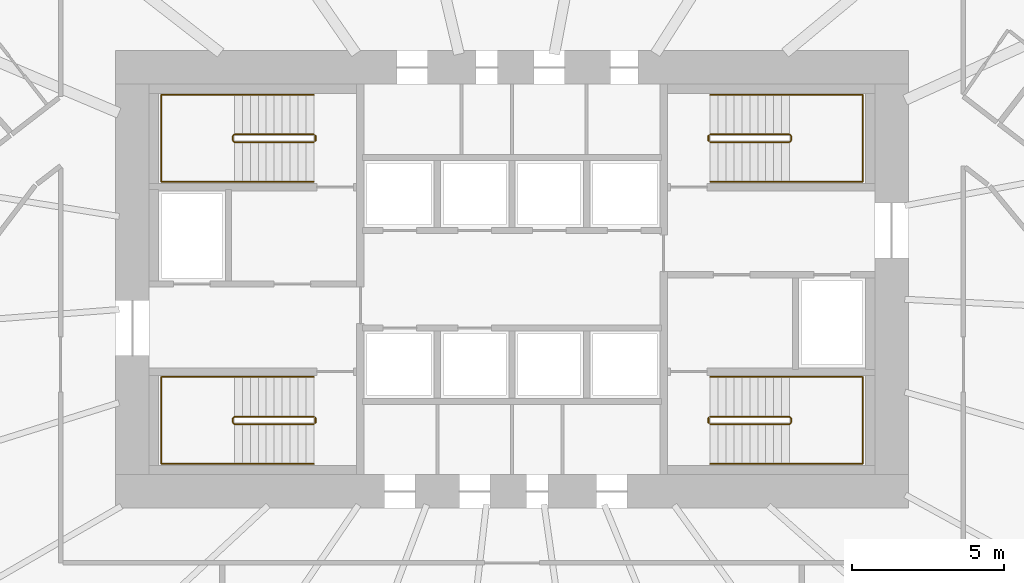
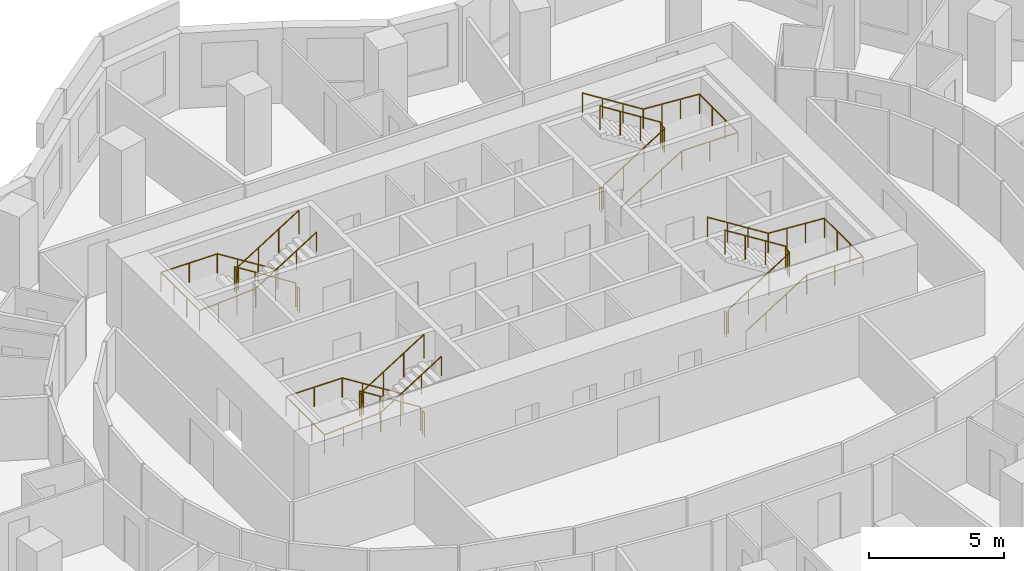
# One storey, part 11 of 11: 12 railings.
"""IFC4 building model written with IfcOpenShell, lengths in metres."""

from ifc_helpers import new_model, si_unit, direction, frame, origin, origin_2d, place, context, subcontext, project, spatial, circle, extrude, material, type_object, element, save


model = new_model("IFC4")

# Units and contexts
model_context = context("Model", 3, precision=1e-05, world=origin(), true_north=direction((0.0, 1.0)))
body_context = subcontext(model_context, "Body", "Model", "MODEL_VIEW")
ifc_project = project(units=[si_unit("LENGTHUNIT", "METRE"), si_unit("AREAUNIT", "SQUARE_METRE"), si_unit("VOLUMEUNIT", "CUBIC_METRE"), si_unit("PLANEANGLEUNIT", "RADIAN"), si_unit("MASSUNIT", "GRAM", prefix="KILO")], contexts=[model_context])

# Site, building, storey
site_placement = place(None, origin())
site = spatial("IfcSite", under=ifc_project, at=site_placement, CompositionType="ELEMENT")
building_placement = place(site_placement, origin())
building = spatial("IfcBuilding", under=site, at=building_placement, Name="Rubra Terraces Tower", CompositionType="ELEMENT")
storey_placement = place(building_placement, frame((0.0, 0.0, 114.0)))
storey = spatial("IfcBuildingStorey", under=building, at=storey_placement, Name="L27", CompositionType="ELEMENT", Elevation=114.0)

# Railings
ifc_material = material(Name="Stainless steel", Category="steel")
railing_type_1 = type_object("IfcRailingType", Name="Core stair guard 1100", PredefinedType="GUARDRAIL", material=ifc_material)
railing_1_placement = place(storey_placement, frame((-6.5, 0.0, 0.16357421875)))
element("IfcRailing", 1, at=railing_1_placement, inside=storey, type_object=railing_type_1, Name="L27 stair S1 guard 1", PredefinedType="GUARDRAIL", context=body_context, shape_type="SweptSolid", body=[
    extrude(circle(Radius=0.02392578125, at=origin_2d()), frame((0.0, 0.0, 1.076171875), z_axis=(-0.846324394277, 0.0, 0.532667832379), x_axis=(0.0, -1.0, 0.0)), (0.0, 0.0, 1.0), 3.072265625),
    extrude(circle(Radius=0.02392578125, at=origin_2d()), frame((-2.60009765625, 0.0, 2.71240234375), z_axis=(-0.705375805398, -0.708833529934, 0.0), x_axis=(0.708833529934, -0.705375805398, 0.0)), (0.0, 0.0, 1.0), 0.070556640625),
    extrude(circle(Radius=0.02392578125, at=origin_2d()), frame((-2.64990234375, -0.050048828125, 2.71240234375), z_axis=(0.0, -1.0, 0.0), x_axis=(1.0, 0.0, 0.0)), (0.0, 0.0, 1.0), 0.14990234375),
    extrude(circle(Radius=0.02392578125, at=origin_2d()), frame((-2.64990234375, -0.199951171875, 2.71240234375), z_axis=(0.279546231943, -0.280916556609, 0.91811752648), x_axis=(0.708833529934, 0.705375805398, 0.0)), (0.0, 0.0, 1.0), 0.17822265625),
    extrude(circle(Radius=0.02392578125, at=origin_2d()), frame((-2.60009765625, -0.25, 2.8759765625), z_axis=(0.846324394277, 0.0, 0.532667832379), x_axis=(0.0, 1.0, 0.0)), (0.0, 0.0, 1.0), 3.072265625),
    extrude(circle(Radius=0.02099609375, at=origin_2d()), origin(), (0.0, 0.0, 1.0), 1.052001953125),
    extrude(circle(Radius=0.02099609375, at=origin_2d()), frame((-0.86669921875, 0.0, 0.54541015625)), (0.0, 0.0, 1.0), 1.052001953125),
    extrude(circle(Radius=0.02099609375, at=origin_2d()), frame((-1.7333984375, 0.0, 1.091064453125)), (0.0, 0.0, 1.0), 1.052001953125),
    extrude(circle(Radius=0.02099609375, at=origin_2d()), frame((-2.60009765625, 0.0, 1.636474609375)), (0.0, 0.0, 1.0), 1.052001953125),
    extrude(circle(Radius=0.02099609375, at=origin_2d()), frame((-2.64990234375, -0.050048828125, 1.636474609375)), (0.0, 0.0, 1.0), 1.052001953125),
    extrude(circle(Radius=0.02099609375, at=origin_2d()), frame((-2.64990234375, -0.199951171875, 1.636474609375)), (0.0, 0.0, 1.0), 1.052001953125),
    extrude(circle(Radius=0.02099609375, at=origin_2d()), frame((-2.60009765625, -0.25, 1.800048828125)), (0.0, 0.0, 1.0), 1.052001953125),
    extrude(circle(Radius=0.02099609375, at=origin_2d()), frame((-1.7333984375, -0.25, 2.345458984375)), (0.0, 0.0, 1.0), 1.052001953125),
    extrude(circle(Radius=0.02099609375, at=origin_2d()), frame((-0.86669921875, -0.25, 2.89111328125)), (0.0, 0.0, 1.0), 1.052001953125),
    extrude(circle(Radius=0.02099609375, at=origin_2d()), frame((0.0, -0.25, 3.4365234375)), (0.0, 0.0, 1.0), 1.052001953125),
])
railing_2_placement = place(storey_placement, frame((-6.449951171875, -0.050048828125, 0.0)))
element("IfcRailing", 2, at=railing_2_placement, inside=storey, type_object=railing_type_1, Name="L27 stair S1 guard 2", PredefinedType="GUARDRAIL", context=body_context, shape_type="SweptSolid", body=[
    extrude(circle(Radius=0.02392578125, at=origin_2d()), frame((0.0, 0.0, 1.076171875), z_axis=(0.0, -1.0, 0.0), x_axis=(1.0, 0.0, 0.0)), (0.0, 0.0, 1.0), 0.14990234375),
    extrude(circle(Radius=0.02099609375, at=origin_2d()), origin(), (0.0, 0.0, 1.0), 1.052001953125),
    extrude(circle(Radius=0.02099609375, at=origin_2d()), frame((0.0, -0.14990234375, 0.0)), (0.0, 0.0, 1.0), 1.052001953125),
])
railing_3_placement = place(storey_placement, frame((-6.5, 9.25, 0.16357421875)))
element("IfcRailing", 3, at=railing_3_placement, inside=storey, type_object=railing_type_1, Name="L27 stair S2 guard 1", PredefinedType="GUARDRAIL", context=body_context, shape_type="SweptSolid", body=[
    extrude(circle(Radius=0.02392578125, at=origin_2d()), frame((0.0, 0.0, 1.076171875), z_axis=(-0.846324394277, 0.0, 0.532667832379), x_axis=(0.0, -1.0, 0.0)), (0.0, 0.0, 1.0), 3.072265625),
    extrude(circle(Radius=0.02392578125, at=origin_2d()), frame((-2.60009765625, 0.0, 2.71240234375), z_axis=(-0.705375805398, -0.708833529934, 0.0), x_axis=(0.708833529934, -0.705375805398, 0.0)), (0.0, 0.0, 1.0), 0.070556640625),
    extrude(circle(Radius=0.02392578125, at=origin_2d()), frame((-2.64990234375, -0.050048828125, 2.71240234375), z_axis=(0.0, -1.0, 0.0), x_axis=(1.0, 0.0, 0.0)), (0.0, 0.0, 1.0), 0.14990234375),
    extrude(circle(Radius=0.02392578125, at=origin_2d()), frame((-2.64990234375, -0.199951171875, 2.71240234375), z_axis=(0.279546231943, -0.280916556609, 0.91811752648), x_axis=(0.708833529934, 0.705375805398, 0.0)), (0.0, 0.0, 1.0), 0.17822265625),
    extrude(circle(Radius=0.02392578125, at=origin_2d()), frame((-2.60009765625, -0.25, 2.8759765625), z_axis=(0.846324394277, 0.0, 0.532667832379), x_axis=(0.0, 1.0, 0.0)), (0.0, 0.0, 1.0), 3.072265625),
    extrude(circle(Radius=0.02099609375, at=origin_2d()), origin(), (0.0, 0.0, 1.0), 1.052001953125),
    extrude(circle(Radius=0.02099609375, at=origin_2d()), frame((-0.86669921875, 0.0, 0.54541015625)), (0.0, 0.0, 1.0), 1.052001953125),
    extrude(circle(Radius=0.02099609375, at=origin_2d()), frame((-1.7333984375, 0.0, 1.091064453125)), (0.0, 0.0, 1.0), 1.052001953125),
    extrude(circle(Radius=0.02099609375, at=origin_2d()), frame((-2.60009765625, 0.0, 1.636474609375)), (0.0, 0.0, 1.0), 1.052001953125),
    extrude(circle(Radius=0.02099609375, at=origin_2d()), frame((-2.64990234375, -0.050048828125, 1.636474609375)), (0.0, 0.0, 1.0), 1.052001953125),
    extrude(circle(Radius=0.02099609375, at=origin_2d()), frame((-2.64990234375, -0.199951171875, 1.636474609375)), (0.0, 0.0, 1.0), 1.052001953125),
    extrude(circle(Radius=0.02099609375, at=origin_2d()), frame((-2.60009765625, -0.25, 1.800048828125)), (0.0, 0.0, 1.0), 1.052001953125),
    extrude(circle(Radius=0.02099609375, at=origin_2d()), frame((-1.7333984375, -0.25, 2.345458984375)), (0.0, 0.0, 1.0), 1.052001953125),
    extrude(circle(Radius=0.02099609375, at=origin_2d()), frame((-0.86669921875, -0.25, 2.89111328125)), (0.0, 0.0, 1.0), 1.052001953125),
    extrude(circle(Radius=0.02099609375, at=origin_2d()), frame((0.0, -0.25, 3.4365234375)), (0.0, 0.0, 1.0), 1.052001953125),
])
railing_4_placement = place(storey_placement, frame((-6.449951171875, 9.199951171875, 0.0)))
element("IfcRailing", 4, at=railing_4_placement, inside=storey, type_object=railing_type_1, Name="L27 stair S2 guard 2", PredefinedType="GUARDRAIL", context=body_context, shape_type="SweptSolid", body=[
    extrude(circle(Radius=0.02392578125, at=origin_2d()), frame((0.0, 0.0, 1.076171875), z_axis=(0.0, -1.0, 0.0), x_axis=(1.0, 0.0, 0.0)), (0.0, 0.0, 1.0), 0.14990234375),
    extrude(circle(Radius=0.02099609375, at=origin_2d()), origin(), (0.0, 0.0, 1.0), 1.052001953125),
    extrude(circle(Radius=0.02099609375, at=origin_2d()), frame((0.0, -0.14990234375, 0.0)), (0.0, 0.0, 1.0), 1.052001953125),
])
railing_5_placement = place(storey_placement, frame((6.5, 9.0, 0.16357421875)))
element("IfcRailing", 5, at=railing_5_placement, inside=storey, type_object=railing_type_1, Name="L27 stair S3 guard 1", PredefinedType="GUARDRAIL", context=body_context, shape_type="SweptSolid", body=[
    extrude(circle(Radius=0.02392578125, at=origin_2d()), frame((0.0, 0.0, 1.076171875), z_axis=(0.846324394277, 0.0, 0.532667832379), x_axis=(0.0, 1.0, 0.0)), (0.0, 0.0, 1.0), 3.072265625),
    extrude(circle(Radius=0.02392578125, at=origin_2d()), frame((2.60009765625, 0.0, 2.71240234375), z_axis=(0.705375805398, 0.708833529934, 0.0), x_axis=(-0.708833529934, 0.705375805398, 0.0)), (0.0, 0.0, 1.0), 0.070556640625),
    extrude(circle(Radius=0.02392578125, at=origin_2d()), frame((2.64990234375, 0.050048828125, 2.71240234375), z_axis=(0.0, 1.0, 0.0), x_axis=(-1.0, 0.0, 0.0)), (0.0, 0.0, 1.0), 0.14990234375),
    extrude(circle(Radius=0.02392578125, at=origin_2d()), frame((2.64990234375, 0.199951171875, 2.71240234375), z_axis=(-0.279546231943, 0.280916556609, 0.91811752648), x_axis=(-0.708833529934, -0.705375805398, 0.0)), (0.0, 0.0, 1.0), 0.17822265625),
    extrude(circle(Radius=0.02392578125, at=origin_2d()), frame((2.60009765625, 0.25, 2.8759765625), z_axis=(-0.846324394277, 0.0, 0.532667832379), x_axis=(0.0, -1.0, 0.0)), (0.0, 0.0, 1.0), 3.072265625),
    extrude(circle(Radius=0.02099609375, at=origin_2d()), origin(), (0.0, 0.0, 1.0), 1.052001953125),
    extrude(circle(Radius=0.02099609375, at=origin_2d()), frame((0.86669921875, 0.0, 0.54541015625)), (0.0, 0.0, 1.0), 1.052001953125),
    extrude(circle(Radius=0.02099609375, at=origin_2d()), frame((1.7333984375, 0.0, 1.091064453125)), (0.0, 0.0, 1.0), 1.052001953125),
    extrude(circle(Radius=0.02099609375, at=origin_2d()), frame((2.60009765625, 0.0, 1.636474609375)), (0.0, 0.0, 1.0), 1.052001953125),
    extrude(circle(Radius=0.02099609375, at=origin_2d()), frame((2.64990234375, 0.050048828125, 1.636474609375)), (0.0, 0.0, 1.0), 1.052001953125),
    extrude(circle(Radius=0.02099609375, at=origin_2d()), frame((2.64990234375, 0.199951171875, 1.636474609375)), (0.0, 0.0, 1.0), 1.052001953125),
    extrude(circle(Radius=0.02099609375, at=origin_2d()), frame((2.60009765625, 0.25, 1.800048828125)), (0.0, 0.0, 1.0), 1.052001953125),
    extrude(circle(Radius=0.02099609375, at=origin_2d()), frame((1.7333984375, 0.25, 2.345458984375)), (0.0, 0.0, 1.0), 1.052001953125),
    extrude(circle(Radius=0.02099609375, at=origin_2d()), frame((0.86669921875, 0.25, 2.89111328125)), (0.0, 0.0, 1.0), 1.052001953125),
    extrude(circle(Radius=0.02099609375, at=origin_2d()), frame((0.0, 0.25, 3.4365234375)), (0.0, 0.0, 1.0), 1.052001953125),
])
railing_6_placement = place(storey_placement, frame((6.449951171875, 9.050048828125, 0.0)))
element("IfcRailing", 6, at=railing_6_placement, inside=storey, type_object=railing_type_1, Name="L27 stair S3 guard 2", PredefinedType="GUARDRAIL", context=body_context, shape_type="SweptSolid", body=[
    extrude(circle(Radius=0.02392578125, at=origin_2d()), frame((0.0, 0.0, 1.076171875), z_axis=(0.0, 1.0, 0.0), x_axis=(-1.0, 0.0, 0.0)), (0.0, 0.0, 1.0), 0.14990234375),
    extrude(circle(Radius=0.02099609375, at=origin_2d()), origin(), (0.0, 0.0, 1.0), 1.052001953125),
    extrude(circle(Radius=0.02099609375, at=origin_2d()), frame((0.0, 0.14990234375, 0.0)), (0.0, 0.0, 1.0), 1.052001953125),
])
railing_7_placement = place(storey_placement, frame((6.5, -0.25, 0.16357421875)))
element("IfcRailing", 7, at=railing_7_placement, inside=storey, type_object=railing_type_1, Name="L27 stair S4 guard 1", PredefinedType="GUARDRAIL", context=body_context, shape_type="SweptSolid", body=[
    extrude(circle(Radius=0.02392578125, at=origin_2d()), frame((0.0, 0.0, 1.076171875), z_axis=(0.846324394277, 0.0, 0.532667832379), x_axis=(0.0, 1.0, 0.0)), (0.0, 0.0, 1.0), 3.072265625),
    extrude(circle(Radius=0.02392578125, at=origin_2d()), frame((2.60009765625, 0.0, 2.71240234375), z_axis=(0.705375805398, 0.708833529934, 0.0), x_axis=(-0.708833529934, 0.705375805398, 0.0)), (0.0, 0.0, 1.0), 0.070556640625),
    extrude(circle(Radius=0.02392578125, at=origin_2d()), frame((2.64990234375, 0.050048828125, 2.71240234375), z_axis=(0.0, 1.0, 0.0), x_axis=(-1.0, 0.0, 0.0)), (0.0, 0.0, 1.0), 0.14990234375),
    extrude(circle(Radius=0.02392578125, at=origin_2d()), frame((2.64990234375, 0.199951171875, 2.71240234375), z_axis=(-0.279546231943, 0.280916556609, 0.91811752648), x_axis=(-0.708833529934, -0.705375805398, 0.0)), (0.0, 0.0, 1.0), 0.17822265625),
    extrude(circle(Radius=0.02392578125, at=origin_2d()), frame((2.60009765625, 0.25, 2.8759765625), z_axis=(-0.846324394277, 0.0, 0.532667832379), x_axis=(0.0, -1.0, 0.0)), (0.0, 0.0, 1.0), 3.072265625),
    extrude(circle(Radius=0.02099609375, at=origin_2d()), origin(), (0.0, 0.0, 1.0), 1.052001953125),
    extrude(circle(Radius=0.02099609375, at=origin_2d()), frame((0.86669921875, 0.0, 0.54541015625)), (0.0, 0.0, 1.0), 1.052001953125),
    extrude(circle(Radius=0.02099609375, at=origin_2d()), frame((1.7333984375, 0.0, 1.091064453125)), (0.0, 0.0, 1.0), 1.052001953125),
    extrude(circle(Radius=0.02099609375, at=origin_2d()), frame((2.60009765625, 0.0, 1.636474609375)), (0.0, 0.0, 1.0), 1.052001953125),
    extrude(circle(Radius=0.02099609375, at=origin_2d()), frame((2.64990234375, 0.050048828125, 1.636474609375)), (0.0, 0.0, 1.0), 1.052001953125),
    extrude(circle(Radius=0.02099609375, at=origin_2d()), frame((2.64990234375, 0.199951171875, 1.636474609375)), (0.0, 0.0, 1.0), 1.052001953125),
    extrude(circle(Radius=0.02099609375, at=origin_2d()), frame((2.60009765625, 0.25, 1.800048828125)), (0.0, 0.0, 1.0), 1.052001953125),
    extrude(circle(Radius=0.02099609375, at=origin_2d()), frame((1.7333984375, 0.25, 2.345458984375)), (0.0, 0.0, 1.0), 1.052001953125),
    extrude(circle(Radius=0.02099609375, at=origin_2d()), frame((0.86669921875, 0.25, 2.89111328125)), (0.0, 0.0, 1.0), 1.052001953125),
    extrude(circle(Radius=0.02099609375, at=origin_2d()), frame((0.0, 0.25, 3.4365234375)), (0.0, 0.0, 1.0), 1.052001953125),
])
railing_8_placement = place(storey_placement, frame((6.449951171875, -0.199951171875, 0.0)))
element("IfcRailing", 8, at=railing_8_placement, inside=storey, type_object=railing_type_1, Name="L27 stair S4 guard 2", PredefinedType="GUARDRAIL", context=body_context, shape_type="SweptSolid", body=[
    extrude(circle(Radius=0.02392578125, at=origin_2d()), frame((0.0, 0.0, 1.076171875), z_axis=(0.0, 1.0, 0.0), x_axis=(-1.0, 0.0, 0.0)), (0.0, 0.0, 1.0), 0.14990234375),
    extrude(circle(Radius=0.02099609375, at=origin_2d()), origin(), (0.0, 0.0, 1.0), 1.052001953125),
    extrude(circle(Radius=0.02099609375, at=origin_2d()), frame((0.0, 0.14990234375, 0.0)), (0.0, 0.0, 1.0), 1.052001953125),
])
railing_type_2 = type_object("IfcRailingType", Name="Core stair handrail 900", PredefinedType="HANDRAIL", material=ifc_material)
railing_9_placement = place(storey_placement, frame((-6.5, 1.300048828125, 0.16357421875)))
element("IfcRailing", 9, at=railing_9_placement, inside=storey, type_object=railing_type_2, Name="L27 stair S1 handrail 1", PredefinedType="HANDRAIL", context=body_context, shape_type="SweptSolid", body=[
    extrude(circle(Radius=0.02392578125, at=origin_2d()), frame((0.0, 0.0, 0.8759765625), z_axis=(-0.846324394277, 0.0, 0.532667832379), x_axis=(0.0, -1.0, 0.0)), (0.0, 0.0, 1.0), 3.072265625),
    extrude(circle(Radius=0.02392578125, at=origin_2d()), frame((-2.60009765625, 0.0, 2.51220703125), z_axis=(-1.0, 0.0, 0.0), x_axis=(0.0, -1.0, 0.0)), (0.0, 0.0, 1.0), 2.39990234375),
    extrude(circle(Radius=0.02392578125, at=origin_2d()), frame((-5.0, 0.0, 2.51220703125), z_axis=(0.0, -1.0, 0.0), x_axis=(1.0, 0.0, 0.0)), (0.0, 0.0, 1.0), 2.85009765625),
    extrude(circle(Radius=0.02392578125, at=origin_2d()), frame((-5.0, -2.85009765625, 2.51220703125), z_axis=(0.997685257876, 0.0, 0.068000928055), x_axis=(0.0, 1.0, 0.0)), (0.0, 0.0, 1.0), 2.405517578125),
    extrude(circle(Radius=0.02392578125, at=origin_2d()), frame((-2.60009765625, -2.85009765625, 2.67578125), z_axis=(0.846324394277, 0.0, 0.532667832379), x_axis=(0.0, 1.0, 0.0)), (0.0, 0.0, 1.0), 3.072265625),
    extrude(circle(Radius=0.02099609375, at=origin_2d()), origin(), (0.0, 0.0, 1.0), 0.851806640625),
    extrude(circle(Radius=0.02099609375, at=origin_2d()), frame((-0.86669921875, 0.0, 0.54541015625)), (0.0, 0.0, 1.0), 0.851806640625),
    extrude(circle(Radius=0.02099609375, at=origin_2d()), frame((-1.7333984375, 0.0, 1.091064453125)), (0.0, 0.0, 1.0), 0.851806640625),
    extrude(circle(Radius=0.02099609375, at=origin_2d()), frame((-2.60009765625, 0.0, 1.636474609375)), (0.0, 0.0, 1.0), 0.851806640625),
    extrude(circle(Radius=0.02099609375, at=origin_2d()), frame((-3.800048828125, 0.0, 1.636474609375)), (0.0, 0.0, 1.0), 0.851806640625),
    extrude(circle(Radius=0.02099609375, at=origin_2d()), frame((-5.0, 0.0, 1.636474609375)), (0.0, 0.0, 1.0), 0.851806640625),
    extrude(circle(Radius=0.02099609375, at=origin_2d()), frame((-5.0, -0.949951171875, 1.636474609375)), (0.0, 0.0, 1.0), 0.851806640625),
    extrude(circle(Radius=0.02099609375, at=origin_2d()), frame((-5.0, -1.900146484375, 1.636474609375)), (0.0, 0.0, 1.0), 0.851806640625),
    extrude(circle(Radius=0.02099609375, at=origin_2d()), frame((-5.0, -2.85009765625, 1.636474609375)), (0.0, 0.0, 1.0), 0.851806640625),
    extrude(circle(Radius=0.02099609375, at=origin_2d()), frame((-4.199951171875, -2.85009765625, 1.69091796875)), (0.0, 0.0, 1.0), 0.851806640625),
    extrude(circle(Radius=0.02099609375, at=origin_2d()), frame((-3.400146484375, -2.85009765625, 1.74560546875)), (0.0, 0.0, 1.0), 0.851806640625),
    extrude(circle(Radius=0.02099609375, at=origin_2d()), frame((-2.60009765625, -2.85009765625, 1.800048828125)), (0.0, 0.0, 1.0), 0.851806640625),
    extrude(circle(Radius=0.02099609375, at=origin_2d()), frame((-1.7333984375, -2.85009765625, 2.345458984375)), (0.0, 0.0, 1.0), 0.851806640625),
    extrude(circle(Radius=0.02099609375, at=origin_2d()), frame((-0.86669921875, -2.85009765625, 2.89111328125)), (0.0, 0.0, 1.0), 0.851806640625),
    extrude(circle(Radius=0.02099609375, at=origin_2d()), frame((0.0, -2.85009765625, 3.4365234375)), (0.0, 0.0, 1.0), 0.851806640625),
])
railing_10_placement = place(storey_placement, frame((-6.5, 10.550048828125, 0.16357421875)))
element("IfcRailing", 10, at=railing_10_placement, inside=storey, type_object=railing_type_2, Name="L27 stair S2 handrail 1", PredefinedType="HANDRAIL", context=body_context, shape_type="SweptSolid", body=[
    extrude(circle(Radius=0.02392578125, at=origin_2d()), frame((0.0, 0.0, 0.8759765625), z_axis=(-0.846324394277, 0.0, 0.532667832379), x_axis=(0.0, -1.0, 0.0)), (0.0, 0.0, 1.0), 3.072265625),
    extrude(circle(Radius=0.02392578125, at=origin_2d()), frame((-2.60009765625, 0.0, 2.51220703125), z_axis=(-1.0, 0.0, 0.0), x_axis=(0.0, -1.0, 0.0)), (0.0, 0.0, 1.0), 2.39990234375),
    extrude(circle(Radius=0.02392578125, at=origin_2d()), frame((-5.0, 0.0, 2.51220703125), z_axis=(0.0, -1.0, 0.0), x_axis=(1.0, 0.0, 0.0)), (0.0, 0.0, 1.0), 2.85009765625),
    extrude(circle(Radius=0.02392578125, at=origin_2d()), frame((-5.0, -2.85009765625, 2.51220703125), z_axis=(0.997685257876, 0.0, 0.068000928055), x_axis=(0.0, 1.0, 0.0)), (0.0, 0.0, 1.0), 2.405517578125),
    extrude(circle(Radius=0.02392578125, at=origin_2d()), frame((-2.60009765625, -2.85009765625, 2.67578125), z_axis=(0.846324394277, 0.0, 0.532667832379), x_axis=(0.0, 1.0, 0.0)), (0.0, 0.0, 1.0), 3.072265625),
    extrude(circle(Radius=0.02099609375, at=origin_2d()), origin(), (0.0, 0.0, 1.0), 0.851806640625),
    extrude(circle(Radius=0.02099609375, at=origin_2d()), frame((-0.86669921875, 0.0, 0.54541015625)), (0.0, 0.0, 1.0), 0.851806640625),
    extrude(circle(Radius=0.02099609375, at=origin_2d()), frame((-1.7333984375, 0.0, 1.091064453125)), (0.0, 0.0, 1.0), 0.851806640625),
    extrude(circle(Radius=0.02099609375, at=origin_2d()), frame((-2.60009765625, 0.0, 1.636474609375)), (0.0, 0.0, 1.0), 0.851806640625),
    extrude(circle(Radius=0.02099609375, at=origin_2d()), frame((-3.800048828125, 0.0, 1.636474609375)), (0.0, 0.0, 1.0), 0.851806640625),
    extrude(circle(Radius=0.02099609375, at=origin_2d()), frame((-5.0, 0.0, 1.636474609375)), (0.0, 0.0, 1.0), 0.851806640625),
    extrude(circle(Radius=0.02099609375, at=origin_2d()), frame((-5.0, -0.949951171875, 1.636474609375)), (0.0, 0.0, 1.0), 0.851806640625),
    extrude(circle(Radius=0.02099609375, at=origin_2d()), frame((-5.0, -1.900146484375, 1.636474609375)), (0.0, 0.0, 1.0), 0.851806640625),
    extrude(circle(Radius=0.02099609375, at=origin_2d()), frame((-5.0, -2.85009765625, 1.636474609375)), (0.0, 0.0, 1.0), 0.851806640625),
    extrude(circle(Radius=0.02099609375, at=origin_2d()), frame((-4.199951171875, -2.85009765625, 1.69091796875)), (0.0, 0.0, 1.0), 0.851806640625),
    extrude(circle(Radius=0.02099609375, at=origin_2d()), frame((-3.400146484375, -2.85009765625, 1.74560546875)), (0.0, 0.0, 1.0), 0.851806640625),
    extrude(circle(Radius=0.02099609375, at=origin_2d()), frame((-2.60009765625, -2.85009765625, 1.800048828125)), (0.0, 0.0, 1.0), 0.851806640625),
    extrude(circle(Radius=0.02099609375, at=origin_2d()), frame((-1.7333984375, -2.85009765625, 2.345458984375)), (0.0, 0.0, 1.0), 0.851806640625),
    extrude(circle(Radius=0.02099609375, at=origin_2d()), frame((-0.86669921875, -2.85009765625, 2.89111328125)), (0.0, 0.0, 1.0), 0.851806640625),
    extrude(circle(Radius=0.02099609375, at=origin_2d()), frame((0.0, -2.85009765625, 3.4365234375)), (0.0, 0.0, 1.0), 0.851806640625),
])
railing_11_placement = place(storey_placement, frame((6.5, 7.699951171875, 0.16357421875)))
element("IfcRailing", 11, at=railing_11_placement, inside=storey, type_object=railing_type_2, Name="L27 stair S3 handrail 1", PredefinedType="HANDRAIL", context=body_context, shape_type="SweptSolid", body=[
    extrude(circle(Radius=0.02392578125, at=origin_2d()), frame((0.0, 0.0, 0.8759765625), z_axis=(0.846324394277, 0.0, 0.532667832379), x_axis=(0.0, 1.0, 0.0)), (0.0, 0.0, 1.0), 3.072265625),
    extrude(circle(Radius=0.02392578125, at=origin_2d()), frame((2.60009765625, 0.0, 2.51220703125), z_axis=(1.0, 0.0, 0.0), x_axis=(0.0, 1.0, 0.0)), (0.0, 0.0, 1.0), 2.39990234375),
    extrude(circle(Radius=0.02392578125, at=origin_2d()), frame((5.0, 0.0, 2.51220703125), z_axis=(0.0, 1.0, 0.0), x_axis=(-1.0, 0.0, 0.0)), (0.0, 0.0, 1.0), 2.85009765625),
    extrude(circle(Radius=0.02392578125, at=origin_2d()), frame((5.0, 2.85009765625, 2.51220703125), z_axis=(-0.997685257876, 0.0, 0.068000928055), x_axis=(0.0, -1.0, 0.0)), (0.0, 0.0, 1.0), 2.405517578125),
    extrude(circle(Radius=0.02392578125, at=origin_2d()), frame((2.60009765625, 2.85009765625, 2.67578125), z_axis=(-0.846324394277, 0.0, 0.532667832379), x_axis=(0.0, -1.0, 0.0)), (0.0, 0.0, 1.0), 3.072265625),
    extrude(circle(Radius=0.02099609375, at=origin_2d()), origin(), (0.0, 0.0, 1.0), 0.851806640625),
    extrude(circle(Radius=0.02099609375, at=origin_2d()), frame((0.86669921875, 0.0, 0.54541015625)), (0.0, 0.0, 1.0), 0.851806640625),
    extrude(circle(Radius=0.02099609375, at=origin_2d()), frame((1.7333984375, 0.0, 1.091064453125)), (0.0, 0.0, 1.0), 0.851806640625),
    extrude(circle(Radius=0.02099609375, at=origin_2d()), frame((2.60009765625, 0.0, 1.636474609375)), (0.0, 0.0, 1.0), 0.851806640625),
    extrude(circle(Radius=0.02099609375, at=origin_2d()), frame((3.800048828125, 0.0, 1.636474609375)), (0.0, 0.0, 1.0), 0.851806640625),
    extrude(circle(Radius=0.02099609375, at=origin_2d()), frame((5.0, 0.0, 1.636474609375)), (0.0, 0.0, 1.0), 0.851806640625),
    extrude(circle(Radius=0.02099609375, at=origin_2d()), frame((5.0, 0.949951171875, 1.636474609375)), (0.0, 0.0, 1.0), 0.851806640625),
    extrude(circle(Radius=0.02099609375, at=origin_2d()), frame((5.0, 1.900146484375, 1.636474609375)), (0.0, 0.0, 1.0), 0.851806640625),
    extrude(circle(Radius=0.02099609375, at=origin_2d()), frame((5.0, 2.85009765625, 1.636474609375)), (0.0, 0.0, 1.0), 0.851806640625),
    extrude(circle(Radius=0.02099609375, at=origin_2d()), frame((4.199951171875, 2.85009765625, 1.69091796875)), (0.0, 0.0, 1.0), 0.851806640625),
    extrude(circle(Radius=0.02099609375, at=origin_2d()), frame((3.400146484375, 2.85009765625, 1.74560546875)), (0.0, 0.0, 1.0), 0.851806640625),
    extrude(circle(Radius=0.02099609375, at=origin_2d()), frame((2.60009765625, 2.85009765625, 1.800048828125)), (0.0, 0.0, 1.0), 0.851806640625),
    extrude(circle(Radius=0.02099609375, at=origin_2d()), frame((1.7333984375, 2.85009765625, 2.345458984375)), (0.0, 0.0, 1.0), 0.851806640625),
    extrude(circle(Radius=0.02099609375, at=origin_2d()), frame((0.86669921875, 2.85009765625, 2.89111328125)), (0.0, 0.0, 1.0), 0.851806640625),
    extrude(circle(Radius=0.02099609375, at=origin_2d()), frame((0.0, 2.85009765625, 3.4365234375)), (0.0, 0.0, 1.0), 0.851806640625),
])
railing_12_placement = place(storey_placement, frame((6.5, -1.550048828125, 0.16357421875)))
element("IfcRailing", 12, at=railing_12_placement, inside=storey, type_object=railing_type_2, Name="L27 stair S4 handrail 1", PredefinedType="HANDRAIL", context=body_context, shape_type="SweptSolid", body=[
    extrude(circle(Radius=0.02392578125, at=origin_2d()), frame((0.0, 0.0, 0.8759765625), z_axis=(0.846324394277, 0.0, 0.532667832379), x_axis=(0.0, 1.0, 0.0)), (0.0, 0.0, 1.0), 3.072265625),
    extrude(circle(Radius=0.02392578125, at=origin_2d()), frame((2.60009765625, 0.0, 2.51220703125), z_axis=(1.0, 0.0, 0.0), x_axis=(0.0, 1.0, 0.0)), (0.0, 0.0, 1.0), 2.39990234375),
    extrude(circle(Radius=0.02392578125, at=origin_2d()), frame((5.0, 0.0, 2.51220703125), z_axis=(0.0, 1.0, 0.0), x_axis=(-1.0, 0.0, 0.0)), (0.0, 0.0, 1.0), 2.85009765625),
    extrude(circle(Radius=0.02392578125, at=origin_2d()), frame((5.0, 2.85009765625, 2.51220703125), z_axis=(-0.997685257876, 0.0, 0.068000928055), x_axis=(0.0, -1.0, 0.0)), (0.0, 0.0, 1.0), 2.405517578125),
    extrude(circle(Radius=0.02392578125, at=origin_2d()), frame((2.60009765625, 2.85009765625, 2.67578125), z_axis=(-0.846324394277, 0.0, 0.532667832379), x_axis=(0.0, -1.0, 0.0)), (0.0, 0.0, 1.0), 3.072265625),
    extrude(circle(Radius=0.02099609375, at=origin_2d()), origin(), (0.0, 0.0, 1.0), 0.851806640625),
    extrude(circle(Radius=0.02099609375, at=origin_2d()), frame((0.86669921875, 0.0, 0.54541015625)), (0.0, 0.0, 1.0), 0.851806640625),
    extrude(circle(Radius=0.02099609375, at=origin_2d()), frame((1.7333984375, 0.0, 1.091064453125)), (0.0, 0.0, 1.0), 0.851806640625),
    extrude(circle(Radius=0.02099609375, at=origin_2d()), frame((2.60009765625, 0.0, 1.636474609375)), (0.0, 0.0, 1.0), 0.851806640625),
    extrude(circle(Radius=0.02099609375, at=origin_2d()), frame((3.800048828125, 0.0, 1.636474609375)), (0.0, 0.0, 1.0), 0.851806640625),
    extrude(circle(Radius=0.02099609375, at=origin_2d()), frame((5.0, 0.0, 1.636474609375)), (0.0, 0.0, 1.0), 0.851806640625),
    extrude(circle(Radius=0.02099609375, at=origin_2d()), frame((5.0, 0.949951171875, 1.636474609375)), (0.0, 0.0, 1.0), 0.851806640625),
    extrude(circle(Radius=0.02099609375, at=origin_2d()), frame((5.0, 1.900146484375, 1.636474609375)), (0.0, 0.0, 1.0), 0.851806640625),
    extrude(circle(Radius=0.02099609375, at=origin_2d()), frame((5.0, 2.85009765625, 1.636474609375)), (0.0, 0.0, 1.0), 0.851806640625),
    extrude(circle(Radius=0.02099609375, at=origin_2d()), frame((4.199951171875, 2.85009765625, 1.69091796875)), (0.0, 0.0, 1.0), 0.851806640625),
    extrude(circle(Radius=0.02099609375, at=origin_2d()), frame((3.400146484375, 2.85009765625, 1.74560546875)), (0.0, 0.0, 1.0), 0.851806640625),
    extrude(circle(Radius=0.02099609375, at=origin_2d()), frame((2.60009765625, 2.85009765625, 1.800048828125)), (0.0, 0.0, 1.0), 0.851806640625),
    extrude(circle(Radius=0.02099609375, at=origin_2d()), frame((1.7333984375, 2.85009765625, 2.345458984375)), (0.0, 0.0, 1.0), 0.851806640625),
    extrude(circle(Radius=0.02099609375, at=origin_2d()), frame((0.86669921875, 2.85009765625, 2.89111328125)), (0.0, 0.0, 1.0), 0.851806640625),
    extrude(circle(Radius=0.02099609375, at=origin_2d()), frame((0.0, 2.85009765625, 3.4365234375)), (0.0, 0.0, 1.0), 0.851806640625),
])

save(model, "model.ifc")
